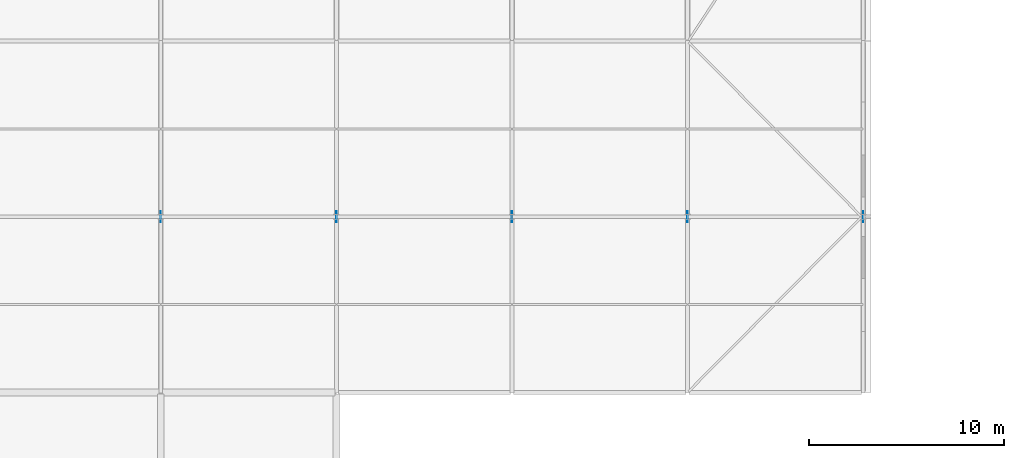
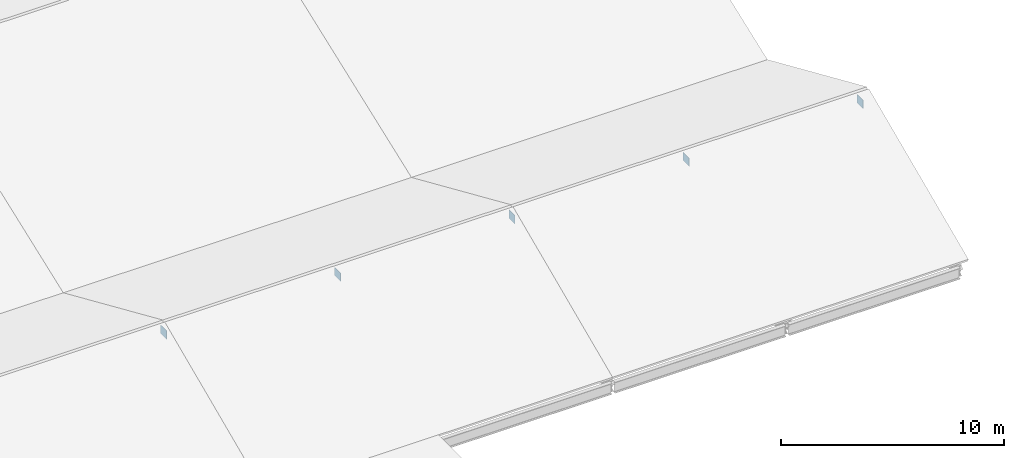
# One storey, part 118 of 163: 5 plates.
"""IFC4 building model written with IfcOpenShell, lengths in metres."""

from ifc_helpers import new_model, si_unit, direction, frame, origin, origin_2d, place, context, subcontext, project, spatial, rectangle, extrude, material, layer, layer_set, type_object, element, save


model = new_model("IFC4")

# Units and contexts
model_context = context("Model", 3, precision=1e-05, world=origin(), true_north=direction((0.0, 1.0)))
body_context = subcontext(model_context, "Body", "Model", "MODEL_VIEW")
ifc_project = project(units=[si_unit("LENGTHUNIT", "METRE"), si_unit("AREAUNIT", "SQUARE_METRE"), si_unit("VOLUMEUNIT", "CUBIC_METRE"), si_unit("PLANEANGLEUNIT", "RADIAN"), si_unit("MASSUNIT", "GRAM", prefix="KILO")], contexts=[model_context])

# Site, building, storey
site_placement = place(None, origin())
site = spatial("IfcSite", under=ifc_project, at=site_placement, CompositionType="ELEMENT")
building_placement = place(site_placement, origin())
building = spatial("IfcBuilding", under=site, at=building_placement, Name="Tharagai Park Tramway Depot", CompositionType="ELEMENT")
storey_placement = place(building_placement, frame((0.0, 0.0, 8.39990234375)))
storey = spatial("IfcBuildingStorey", under=building, at=storey_placement, Name="L02", CompositionType="ELEMENT", Elevation=8.39990234375)

# Plates
ifc_material = material(Name="Steel E350", Category="steel")
ifc_layer_1 = layer(ifc_material, 0.02392578125)
ifc_layer_set_1 = layer_set([ifc_layer_1], Name="Steel E350")
plate_type_1 = type_object("IfcPlateType", Name="GP-02", PredefinedType="SHEET", material=ifc_layer_set_1)
for number, where, z_axis, x_axis, name in (
    (1, (63.0, 54.0, 3.0830078125), (0.0, 0.0, 1.0), (1.0, 0.0, 0.0), "V2A Ridge Gusset Plate GP-02"),
    (2, (81.0, 54.0, 3.0830078125), (0.0, 0.0, 1.0), (1.0, 0.0, 0.0), "V2A Ridge Gusset Plate GP-02"),
):
    element("IfcPlate", number, at=place(storey_placement, frame(where, z_axis=z_axis, x_axis=x_axis)), inside=storey, type_object=plate_type_1, Name=name, PredefinedType="SHEET", context=body_context, shape_type="SweptSolid", body=[
        extrude(rectangle(XDim=0.02392578125, YDim=0.550048828125, at=origin_2d()), origin(), (0.0, 0.0, 1.0), 0.449951171875),
    ])
ifc_layer_2 = layer(ifc_material, 0.01611328125)
ifc_layer_set_2 = layer_set([ifc_layer_2], Name="Steel E350")
plate_type_2 = type_object("IfcPlateType", Name="GP-03", PredefinedType="SHEET", material=ifc_layer_set_2)
for number, where, z_axis, x_axis, name in (
    (3, (54.0, 54.0, 3.0830078125), (0.0, 0.0, 1.0), (1.0, 0.0, 0.0), "V2A Ridge Gusset Plate GP-03"),
    (4, (72.0, 54.0, 3.0830078125), (0.0, 0.0, 1.0), (1.0, 0.0, 0.0), "V2A Ridge Gusset Plate GP-03"),
    (5, (90.0, 54.0, 3.0830078125), (0.0, 0.0, 1.0), (1.0, 0.0, 0.0), "V2A Ridge Gusset Plate GP-03"),
):
    element("IfcPlate", number, at=place(storey_placement, frame(where, z_axis=z_axis, x_axis=x_axis)), inside=storey, type_object=plate_type_2, Name=name, PredefinedType="SHEET", context=body_context, shape_type="SweptSolid", body=[
        extrude(rectangle(XDim=0.01611328125, YDim=0.550048828125, at=origin_2d()), origin(), (0.0, 0.0, 1.0), 0.449951171875),
    ])

save(model, "model.ifc")
